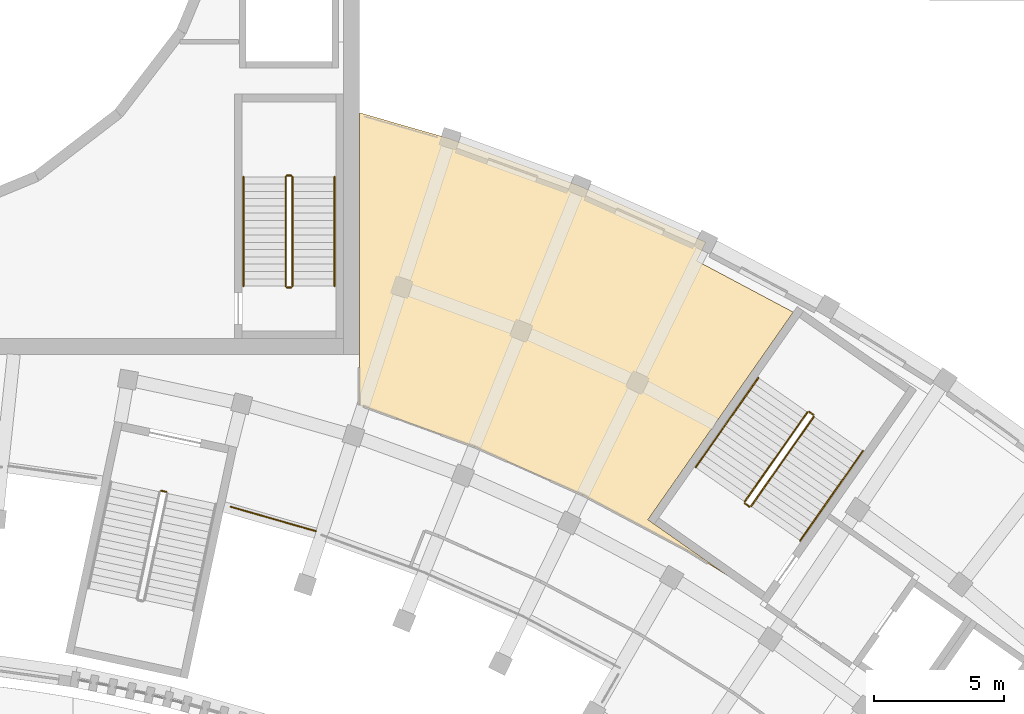
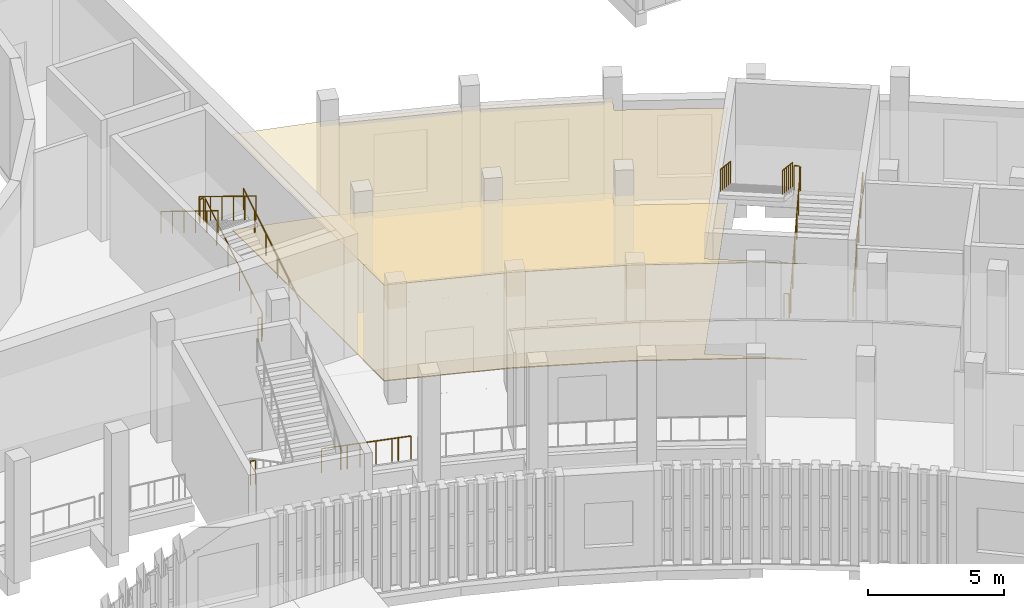
# One storey, part 88 of 112: 14 railings, 2 coverings.
"""IFC4 building model written with IfcOpenShell, lengths in metres."""

from ifc_helpers import new_model, si_unit, direction, frame, origin, origin_2d, place, context, subcontext, project, spatial, polyline, circle, outline, extrude, material, layer, layer_set, type_object, element, save


model = new_model("IFC4")

# Units and contexts
model_context = context("Model", 3, precision=1e-05, world=origin(), true_north=direction((0.0, 1.0)))
body_context = subcontext(model_context, "Body", "Model", "MODEL_VIEW")
ifc_project = project(units=[si_unit("LENGTHUNIT", "METRE"), si_unit("AREAUNIT", "SQUARE_METRE"), si_unit("VOLUMEUNIT", "CUBIC_METRE"), si_unit("PLANEANGLEUNIT", "RADIAN"), si_unit("MASSUNIT", "GRAM", prefix="KILO")], contexts=[model_context])

# Site, building, storey
site_placement = place(None, origin())
site = spatial("IfcSite", under=ifc_project, at=site_placement, CompositionType="ELEMENT")
building_placement = place(site_placement, origin())
building = spatial("IfcBuilding", under=site, at=building_placement, Name="Lunette Opera House", CompositionType="ELEMENT")
storey_placement = place(building_placement, frame((0.0, 0.0, 6.0)))
storey = spatial("IfcBuildingStorey", under=building, at=storey_placement, Name="L01", CompositionType="ELEMENT", Elevation=6.0)

# Railings
ifc_material_1 = material(Name="Steel S355", Category="steel")
railing_type_1 = type_object("IfcRailingType", Name="DECK GUARD 1100", PredefinedType="GUARDRAIL", material=ifc_material_1)
railing_1_placement = place(storey_placement, frame((111.06494140625, 58.14306640625, 0.0)))
element("IfcRailing", 1, at=railing_1_placement, inside=storey, type_object=railing_type_1, Name="Deck guard 015", PredefinedType="GUARDRAIL", context=body_context, shape_type="SweptSolid", body=[
    extrude(circle(Radius=0.02392578125, at=origin_2d()), frame((0.0, 0.0, 1.076171875), z_axis=(0.961092668095, -0.276226145277, 0.0), x_axis=(0.276226145277, 0.961092668095, 0.0)), (0.0, 0.0, 1.0), 0.728271484375),
    extrude(circle(Radius=0.02392578125, at=origin_2d()), frame((0.699951171875, -0.201171875, 1.076171875), z_axis=(0.962280734503, -0.272058427556, 0.0), x_axis=(0.272058427556, 0.962280734503, 0.0)), (0.0, 0.0, 1.0), 0.2421875),
    extrude(circle(Radius=0.02392578125, at=origin_2d()), frame((0.93310546875, -0.26708984375, 1.076171875), z_axis=(0.96104757697, -0.276382985729, 0.0), x_axis=(0.276382985729, 0.96104757697, 0.0)), (0.0, 0.0, 1.0), 0.48486328125),
    extrude(circle(Radius=0.02392578125, at=origin_2d()), frame((1.399169921875, -0.401123046875, 1.076171875), z_axis=(0.961112720234, -0.276156366945, 0.0), x_axis=(0.276156366945, 0.961112720234, 0.0)), (0.0, 0.0, 1.0), 1.212890625),
    extrude(circle(Radius=0.02392578125, at=origin_2d()), frame((2.56494140625, -0.736083984375, 1.076171875), z_axis=(0.962280734503, -0.272058427556, 0.0), x_axis=(0.272058427556, 0.962280734503, 0.0)), (0.0, 0.0, 1.0), 0.2421875),
    extrude(circle(Radius=0.02392578125, at=origin_2d()), frame((2.798095703125, -0.802001953125, 1.076171875), z_axis=(0.961200954659, -0.275849097809, 0.0), x_axis=(0.275849097809, 0.961200954659, 0.0)), (0.0, 0.0, 1.0), 0.48583984375),
    extrude(circle(Radius=0.02099609375, at=origin_2d()), origin(), (0.0, 0.0, 1.0), 1.052001953125),
    extrude(circle(Radius=0.02099609375, at=origin_2d()), frame((0.699951171875, -0.201171875, 0.0)), (0.0, 0.0, 1.0), 1.052001953125),
    extrude(circle(Radius=0.02099609375, at=origin_2d()), frame((0.93310546875, -0.26708984375, 0.0)), (0.0, 0.0, 1.0), 1.052001953125),
    extrude(circle(Radius=0.02099609375, at=origin_2d()), frame((1.399169921875, -0.401123046875, 0.0)), (0.0, 0.0, 1.0), 1.052001953125),
    extrude(circle(Radius=0.02099609375, at=origin_2d()), frame((1.98193359375, -0.568603515625, 0.0)), (0.0, 0.0, 1.0), 1.052001953125),
    extrude(circle(Radius=0.02099609375, at=origin_2d()), frame((2.56494140625, -0.736083984375, 0.0)), (0.0, 0.0, 1.0), 1.052001953125),
    extrude(circle(Radius=0.02099609375, at=origin_2d()), frame((2.798095703125, -0.802001953125, 0.0)), (0.0, 0.0, 1.0), 1.052001953125),
    extrude(circle(Radius=0.02099609375, at=origin_2d()), frame((3.26513671875, -0.93603515625, 0.0)), (0.0, 0.0, 1.0), 1.052001953125),
])
ifc_material_2 = material(Name="Steel S355", Category="steel")
railing_type_2 = type_object("IfcRailingType", Name="STAIR GUARD 1100", PredefinedType="GUARDRAIL", material=ifc_material_2)
railing_2_placement = place(storey_placement, frame((108.386962890625, 58.759033203125, 0.0)))
element("IfcRailing", 2, at=railing_2_placement, inside=storey, type_object=railing_type_2, Name="L01 GS2 stair guard 4", PredefinedType="GUARDRAIL", context=body_context, shape_type="SweptSolid", body=[
    extrude(circle(Radius=0.02392578125, at=origin_2d()), frame((0.0, 0.0, 1.076171875), z_axis=(0.978211583308, -0.207610448392, 0.0), x_axis=(0.207610448392, 0.978211583308, 0.0)), (0.0, 0.0, 1.0), 0.199951171875),
    extrude(circle(Radius=0.02099609375, at=origin_2d()), origin(), (0.0, 0.0, 1.0), 1.052001953125),
    extrude(circle(Radius=0.02099609375, at=origin_2d()), frame((0.195556640625, -0.04150390625, 0.0)), (0.0, 0.0, 1.0), 1.052001953125),
])
railing_3_placement = place(storey_placement, frame((131.051025390625, 58.16455078125, 0.171875)))
element("IfcRailing", 3, at=railing_3_placement, inside=storey, type_object=railing_type_2, Name="L01 ST3 stair guard 1", PredefinedType="GUARDRAIL", context=body_context, shape_type="SweptSolid", body=[
    extrude(circle(Radius=0.02392578125, at=origin_2d()), frame((0.0, 0.0, 1.076171875), z_axis=(0.488853125881, 0.698106835216, 0.523134273338), x_axis=(-0.819133598779, 0.573602778367, 0.0)), (0.0, 0.0, 1.0), 4.92822265625),
    extrude(circle(Radius=0.02099609375, at=origin_2d()), origin(), (0.0, 0.0, 1.0), 1.052001953125),
    extrude(circle(Radius=0.02099609375, at=origin_2d()), frame((0.48193359375, 0.68798828125, 0.515625)), (0.0, 0.0, 1.0), 1.052001953125),
    extrude(circle(Radius=0.02099609375, at=origin_2d()), frame((0.963623046875, 1.376220703125, 1.03125)), (0.0, 0.0, 1.0), 1.052001953125),
    extrude(circle(Radius=0.02099609375, at=origin_2d()), frame((1.445556640625, 2.064208984375, 1.546875)), (0.0, 0.0, 1.0), 1.052001953125),
    extrude(circle(Radius=0.02099609375, at=origin_2d()), frame((1.92724609375, 2.75244140625, 2.0625)), (0.0, 0.0, 1.0), 1.052001953125),
    extrude(circle(Radius=0.02099609375, at=origin_2d()), frame((2.4091796875, 3.4404296875, 2.578125)), (0.0, 0.0, 1.0), 1.052001953125),
])
railing_4_placement = place(storey_placement, frame((133.44775390625, 61.6748046875, 2.75)))
element("IfcRailing", 4, at=railing_4_placement, inside=storey, type_object=railing_type_2, Name="L01 ST3 stair guard 2", PredefinedType="GUARDRAIL", context=body_context, shape_type="SweptSolid", body=[
    extrude(circle(Radius=0.02392578125, at=origin_2d()), frame((0.0, 0.0, 1.076171875), z_axis=(-0.819289108261, 0.573380638917, 0.0), x_axis=(-0.573380638917, -0.819289108261, 0.0)), (0.0, 0.0, 1.0), 0.200439453125),
    extrude(circle(Radius=0.02099609375, at=origin_2d()), origin(), (0.0, 0.0, 1.0), 1.052001953125),
    extrude(circle(Radius=0.02099609375, at=origin_2d()), frame((-0.164306640625, 0.114990234375, 0.0)), (0.0, 0.0, 1.0), 1.052001953125),
])
railing_5_placement = place(storey_placement, frame((133.2138671875, 61.777587890625, 2.921875)))
element("IfcRailing", 5, at=railing_5_placement, inside=storey, type_object=railing_type_2, Name="L01 ST3 stair guard 3", PredefinedType="GUARDRAIL", context=body_context, shape_type="SweptSolid", body=[
    extrude(circle(Radius=0.02392578125, at=origin_2d()), frame((0.0, 0.0, 1.076171875), z_axis=(-0.488798518461, -0.69814913557, 0.523128849189), x_axis=(0.819180032231, -0.573536463352, 0.0)), (0.0, 0.0, 1.0), 4.92822265625),
    extrude(circle(Radius=0.02099609375, at=origin_2d()), origin(), (0.0, 0.0, 1.0), 1.052001953125),
    extrude(circle(Radius=0.02099609375, at=origin_2d()), frame((-0.481689453125, -0.688232421875, 0.515625)), (0.0, 0.0, 1.0), 1.052001953125),
    extrude(circle(Radius=0.02099609375, at=origin_2d()), frame((-0.963623046875, -1.376220703125, 1.03125)), (0.0, 0.0, 1.0), 1.052001953125),
    extrude(circle(Radius=0.02099609375, at=origin_2d()), frame((-1.4453125, -2.064453125, 1.546875)), (0.0, 0.0, 1.0), 1.052001953125),
    extrude(circle(Radius=0.02099609375, at=origin_2d()), frame((-1.92724609375, -2.75244140625, 2.0625)), (0.0, 0.0, 1.0), 1.052001953125),
    extrude(circle(Radius=0.02099609375, at=origin_2d()), frame((-2.408935546875, -3.440673828125, 2.578125)), (0.0, 0.0, 1.0), 1.052001953125),
])
railing_6_placement = place(storey_placement, frame((130.9814453125, 58.15234375, 0.0)))
element("IfcRailing", 6, at=railing_6_placement, inside=storey, type_object=railing_type_2, Name="L01 ST3 stair guard 4", PredefinedType="GUARDRAIL", context=body_context, shape_type="SweptSolid", body=[
    extrude(circle(Radius=0.02392578125, at=origin_2d()), frame((0.0, 0.0, 1.076171875), z_axis=(-0.819289108261, 0.573380638917, 0.0), x_axis=(-0.573380638917, -0.819289108261, 0.0)), (0.0, 0.0, 1.0), 0.200439453125),
    extrude(circle(Radius=0.02099609375, at=origin_2d()), origin(), (0.0, 0.0, 1.0), 1.052001953125),
    extrude(circle(Radius=0.02099609375, at=origin_2d()), frame((-0.164306640625, 0.114990234375, 0.0)), (0.0, 0.0, 1.0), 1.052001953125),
])
railing_7_placement = place(storey_placement, frame((113.429931640625, 66.6201171875, 0.171875)))
element("IfcRailing", 7, at=railing_7_placement, inside=storey, type_object=railing_type_2, Name="L01 ST8 stair guard 1", PredefinedType="GUARDRAIL", context=body_context, shape_type="SweptSolid", body=[
    extrude(circle(Radius=0.02392578125, at=origin_2d()), frame((0.0, 0.0, 1.076171875), z_axis=(0.0, 0.852242915053, 0.523146264196), x_axis=(-1.0, 0.0, 0.0)), (0.0, 0.0, 1.0), 4.92822265625),
    extrude(circle(Radius=0.02099609375, at=origin_2d()), origin(), (0.0, 0.0, 1.0), 1.052001953125),
    extrude(circle(Radius=0.02099609375, at=origin_2d()), frame((0.0, 0.840087890625, 0.515625)), (0.0, 0.0, 1.0), 1.052001953125),
    extrude(circle(Radius=0.02099609375, at=origin_2d()), frame((0.0, 1.679931640625, 1.03125)), (0.0, 0.0, 1.0), 1.052001953125),
    extrude(circle(Radius=0.02099609375, at=origin_2d()), frame((0.0, 2.52001953125, 1.546875)), (0.0, 0.0, 1.0), 1.052001953125),
    extrude(circle(Radius=0.02099609375, at=origin_2d()), frame((0.0, 3.35986328125, 2.0625)), (0.0, 0.0, 1.0), 1.052001953125),
    extrude(circle(Radius=0.02099609375, at=origin_2d()), frame((0.0, 4.199951171875, 2.578125)), (0.0, 0.0, 1.0), 1.052001953125),
])
railing_8_placement = place(storey_placement, frame((113.3798828125, 70.8701171875, 2.75)))
element("IfcRailing", 8, at=railing_8_placement, inside=storey, type_object=railing_type_2, Name="L01 ST8 stair guard 2", PredefinedType="GUARDRAIL", context=body_context, shape_type="SweptSolid", body=[
    extrude(circle(Radius=0.02392578125, at=origin_2d()), frame((0.0, 0.0, 1.076171875), z_axis=(-1.0, 0.0, 0.0), x_axis=(0.0, -1.0, 0.0)), (0.0, 0.0, 1.0), 0.159912109375),
    extrude(circle(Radius=0.02099609375, at=origin_2d()), origin(), (0.0, 0.0, 1.0), 1.052001953125),
    extrude(circle(Radius=0.02099609375, at=origin_2d()), frame((-0.159912109375, 0.0, 0.0)), (0.0, 0.0, 1.0), 1.052001953125),
])
railing_9_placement = place(storey_placement, frame((113.169921875, 70.820068359375, 2.921875)))
element("IfcRailing", 9, at=railing_9_placement, inside=storey, type_object=railing_type_2, Name="L01 ST8 stair guard 3", PredefinedType="GUARDRAIL", context=body_context, shape_type="SweptSolid", body=[
    extrude(circle(Radius=0.02392578125, at=origin_2d()), frame((0.0, 0.0, 1.076171875), z_axis=(0.0, -0.852242915053, 0.523146264196), x_axis=(1.0, 0.0, 0.0)), (0.0, 0.0, 1.0), 4.92822265625),
    extrude(circle(Radius=0.02099609375, at=origin_2d()), origin(), (0.0, 0.0, 1.0), 1.052001953125),
    extrude(circle(Radius=0.02099609375, at=origin_2d()), frame((0.0, -0.840087890625, 0.515625)), (0.0, 0.0, 1.0), 1.052001953125),
    extrude(circle(Radius=0.02099609375, at=origin_2d()), frame((0.0, -1.679931640625, 1.03125)), (0.0, 0.0, 1.0), 1.052001953125),
    extrude(circle(Radius=0.02099609375, at=origin_2d()), frame((0.0, -2.52001953125, 1.546875)), (0.0, 0.0, 1.0), 1.052001953125),
    extrude(circle(Radius=0.02099609375, at=origin_2d()), frame((0.0, -3.35986328125, 2.0625)), (0.0, 0.0, 1.0), 1.052001953125),
    extrude(circle(Radius=0.02099609375, at=origin_2d()), frame((0.0, -4.199951171875, 2.578125)), (0.0, 0.0, 1.0), 1.052001953125),
])
railing_10_placement = place(storey_placement, frame((113.3798828125, 66.570068359375, 0.0)))
element("IfcRailing", 10, at=railing_10_placement, inside=storey, type_object=railing_type_2, Name="L01 ST8 stair guard 4", PredefinedType="GUARDRAIL", context=body_context, shape_type="SweptSolid", body=[
    extrude(circle(Radius=0.02392578125, at=origin_2d()), frame((0.0, 0.0, 1.076171875), z_axis=(-1.0, 0.0, 0.0), x_axis=(0.0, -1.0, 0.0)), (0.0, 0.0, 1.0), 0.159912109375),
    extrude(circle(Radius=0.02099609375, at=origin_2d()), origin(), (0.0, 0.0, 1.0), 1.052001953125),
    extrude(circle(Radius=0.02099609375, at=origin_2d()), frame((-0.159912109375, 0.0, 0.0)), (0.0, 0.0, 1.0), 1.052001953125),
])
ifc_material_3 = material(Name="Steel S355", Category="steel")
railing_type_3 = type_object("IfcRailingType", Name="STAIR HANDRAIL 1000", PredefinedType="HANDRAIL", material=ifc_material_3)
railing_11_placement = place(storey_placement, frame((132.93505859375, 56.845458984375, 0.171875)))
element("IfcRailing", 11, at=railing_11_placement, inside=storey, type_object=railing_type_3, Name="L01 ST3 stair handrail 1", PredefinedType="HANDRAIL", context=body_context, shape_type="SweptSolid", body=[
    extrude(circle(Radius=0.02392578125, at=origin_2d()), frame((0.0, 0.0, 0.97607421875), z_axis=(0.488853125881, 0.698106835216, 0.523134273338), x_axis=(-0.819133598779, 0.573602778367, 0.0)), (0.0, 0.0, 1.0), 4.92822265625),
    extrude(circle(Radius=0.02099609375, at=origin_2d()), origin(), (0.0, 0.0, 1.0), 0.951904296875),
    extrude(circle(Radius=0.02099609375, at=origin_2d()), frame((0.48193359375, 0.68798828125, 0.515625)), (0.0, 0.0, 1.0), 0.951904296875),
    extrude(circle(Radius=0.02099609375, at=origin_2d()), frame((0.963623046875, 1.376220703125, 1.03125)), (0.0, 0.0, 1.0), 0.951904296875),
    extrude(circle(Radius=0.02099609375, at=origin_2d()), frame((1.445556640625, 2.064208984375, 1.546875)), (0.0, 0.0, 1.0), 0.951904296875),
    extrude(circle(Radius=0.02099609375, at=origin_2d()), frame((1.92724609375, 2.75244140625, 2.0625)), (0.0, 0.0, 1.0), 0.951904296875),
    extrude(circle(Radius=0.02099609375, at=origin_2d()), frame((2.4091796875, 3.4404296875, 2.578125)), (0.0, 0.0, 1.0), 0.951904296875),
])
railing_12_placement = place(storey_placement, frame((131.329833984375, 63.0966796875, 2.921875)))
element("IfcRailing", 12, at=railing_12_placement, inside=storey, type_object=railing_type_3, Name="L01 ST3 stair handrail 2", PredefinedType="HANDRAIL", context=body_context, shape_type="SweptSolid", body=[
    extrude(circle(Radius=0.02392578125, at=origin_2d()), frame((0.0, 0.0, 0.97607421875), z_axis=(-0.488815424036, -0.698123741311, 0.523146942112), x_axis=(0.819160910421, -0.573563773994, 0.0)), (0.0, 0.0, 1.0), 4.92822265625),
    extrude(circle(Radius=0.02099609375, at=origin_2d()), origin(), (0.0, 0.0, 1.0), 0.951904296875),
    extrude(circle(Radius=0.02099609375, at=origin_2d()), frame((-0.481689453125, -0.68798828125, 0.515625)), (0.0, 0.0, 1.0), 0.951904296875),
    extrude(circle(Radius=0.02099609375, at=origin_2d()), frame((-0.963623046875, -1.376220703125, 1.03125)), (0.0, 0.0, 1.0), 0.951904296875),
    extrude(circle(Radius=0.02099609375, at=origin_2d()), frame((-1.4453125, -2.064208984375, 1.546875)), (0.0, 0.0, 1.0), 0.951904296875),
    extrude(circle(Radius=0.02099609375, at=origin_2d()), frame((-1.92724609375, -2.75244140625, 2.0625)), (0.0, 0.0, 1.0), 0.951904296875),
    extrude(circle(Radius=0.02099609375, at=origin_2d()), frame((-2.408935546875, -3.4404296875, 2.578125)), (0.0, 0.0, 1.0), 0.951904296875),
])
railing_13_placement = place(storey_placement, frame((115.050048828125, 66.6201171875, 0.171875)))
element("IfcRailing", 13, at=railing_13_placement, inside=storey, type_object=railing_type_3, Name="L01 ST8 stair handrail 1", PredefinedType="HANDRAIL", context=body_context, shape_type="SweptSolid", body=[
    extrude(circle(Radius=0.02392578125, at=origin_2d()), frame((0.0, 0.0, 0.97607421875), z_axis=(0.0, 0.852242915053, 0.523146264196), x_axis=(-1.0, 0.0, 0.0)), (0.0, 0.0, 1.0), 4.92822265625),
    extrude(circle(Radius=0.02099609375, at=origin_2d()), origin(), (0.0, 0.0, 1.0), 0.951904296875),
    extrude(circle(Radius=0.02099609375, at=origin_2d()), frame((0.0, 0.840087890625, 0.515625)), (0.0, 0.0, 1.0), 0.951904296875),
    extrude(circle(Radius=0.02099609375, at=origin_2d()), frame((0.0, 1.679931640625, 1.03125)), (0.0, 0.0, 1.0), 0.951904296875),
    extrude(circle(Radius=0.02099609375, at=origin_2d()), frame((0.0, 2.52001953125, 1.546875)), (0.0, 0.0, 1.0), 0.951904296875),
    extrude(circle(Radius=0.02099609375, at=origin_2d()), frame((0.0, 3.35986328125, 2.0625)), (0.0, 0.0, 1.0), 0.951904296875),
    extrude(circle(Radius=0.02099609375, at=origin_2d()), frame((0.0, 4.199951171875, 2.578125)), (0.0, 0.0, 1.0), 0.951904296875),
])
railing_14_placement = place(storey_placement, frame((111.550048828125, 70.820068359375, 2.921875)))
element("IfcRailing", 14, at=railing_14_placement, inside=storey, type_object=railing_type_3, Name="L01 ST8 stair handrail 2", PredefinedType="HANDRAIL", context=body_context, shape_type="SweptSolid", body=[
    extrude(circle(Radius=0.02392578125, at=origin_2d()), frame((0.0, 0.0, 0.97607421875), z_axis=(0.0, -0.852242915053, 0.523146264196), x_axis=(1.0, 0.0, 0.0)), (0.0, 0.0, 1.0), 4.92822265625),
    extrude(circle(Radius=0.02099609375, at=origin_2d()), origin(), (0.0, 0.0, 1.0), 0.951904296875),
    extrude(circle(Radius=0.02099609375, at=origin_2d()), frame((0.0, -0.840087890625, 0.515625)), (0.0, 0.0, 1.0), 0.951904296875),
    extrude(circle(Radius=0.02099609375, at=origin_2d()), frame((0.0, -1.679931640625, 1.03125)), (0.0, 0.0, 1.0), 0.951904296875),
    extrude(circle(Radius=0.02099609375, at=origin_2d()), frame((0.0, -2.52001953125, 1.546875)), (0.0, 0.0, 1.0), 0.951904296875),
    extrude(circle(Radius=0.02099609375, at=origin_2d()), frame((0.0, -3.35986328125, 2.0625)), (0.0, 0.0, 1.0), 0.951904296875),
    extrude(circle(Radius=0.02099609375, at=origin_2d()), frame((0.0, -4.199951171875, 2.578125)), (0.0, 0.0, 1.0), 0.951904296875),
])

# Coverings
ifc_material_4 = material(Name="Mineral fibre board")
ifc_layer_1 = layer(ifc_material_4, 0.014892578125)
ifc_layer_set_1 = layer_set([ifc_layer_1], Name="Mineral fibre board")
covering_type_1 = type_object("IfcCoveringType", Name="SUSPENDED ACOUSTIC CEILING 15", PredefinedType="CEILING", material=ifc_layer_set_1)
covering_1_placement = place(storey_placement, frame((0.0, 0.0, 4.31494140625)))
element("IfcCovering", 15, at=covering_1_placement, inside=storey, type_object=covering_type_1, Name="Ceiling Education Studio", PredefinedType="CEILING", context=body_context, shape_type="SweptSolid", body=[
    extrude(outline(polyline([(124.469970703125, 70.466064453125), (129.31591796875, 68.30810546875), (128.966064453125, 67.589111328125), (132.6689453125, 65.6201171875), (127.0859375, 57.64501953125), (130.19189453125, 55.469970703125), (128.60009765625, 56.465087890625), (124.58203125, 58.60107421875), (120.424072265625, 60.451904296875), (116.14794921875, 62.009033203125), (116.0, 62.051025390625), (116.0, 64.0), (116.0, 73.280029296875), (119.485107421875, 72.280029296875), (124.469970703125, 70.466064453125)])), origin(), (0.0, 0.0, 1.0), 0.01513671875),
])
ifc_material_5 = material(Name="Timber", Category="wood")
ifc_layer_2 = layer(ifc_material_5, 0.0400390625)
ifc_layer_set_2 = layer_set([ifc_layer_2], Name="Timber")
covering_type_2 = type_object("IfcCoveringType", Name="TIMBER FLOOR FINISH 40", PredefinedType="FLOORING", material=ifc_layer_set_2)
covering_2_placement = place(storey_placement, origin())
element("IfcCovering", 16, at=covering_2_placement, inside=storey, type_object=covering_type_2, Name="Floor finish Education Studio", PredefinedType="FLOORING", context=body_context, shape_type="SweptSolid", body=[
    extrude(outline(polyline([(124.469970703125, 70.466064453125), (129.31591796875, 68.30810546875), (128.966064453125, 67.589111328125), (132.6689453125, 65.6201171875), (127.0859375, 57.64501953125), (130.19189453125, 55.469970703125), (128.60009765625, 56.465087890625), (124.58203125, 58.60107421875), (120.424072265625, 60.451904296875), (116.14794921875, 62.009033203125), (116.0, 62.051025390625), (116.0, 64.0), (116.0, 73.280029296875), (119.485107421875, 72.280029296875), (124.469970703125, 70.466064453125)])), origin(), (0.0, 0.0, 1.0), 0.0400390625),
])

save(model, "model.ifc")
